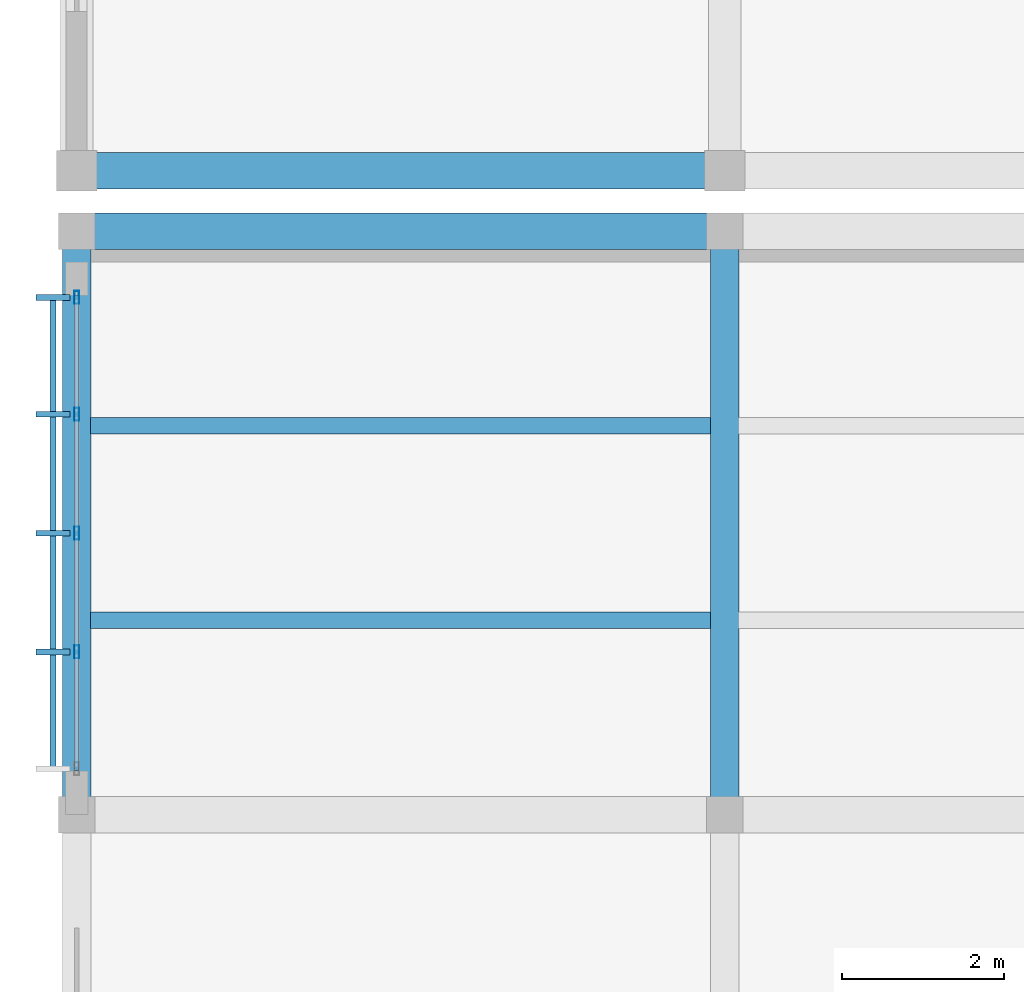
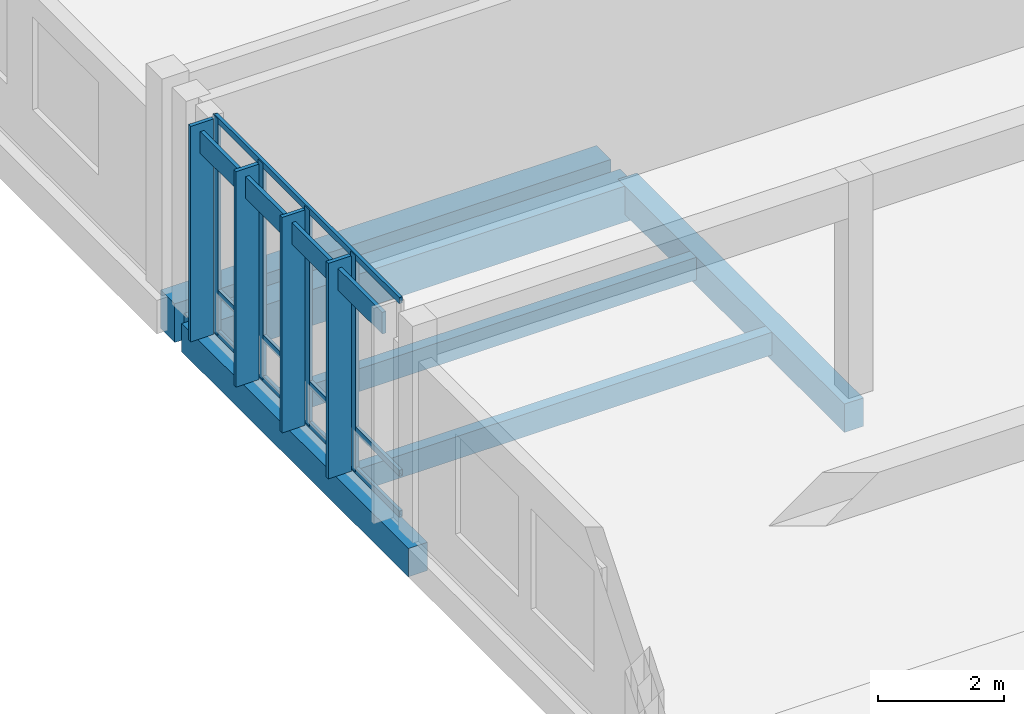
# One storey, part 27 of 107: 12 members, 6 beams, 1 element without a shape of its own.
"""IFC4 building model written with IfcOpenShell, lengths in metres."""

from ifc_helpers import new_model, si_unit, direction, frame, origin, origin_2d, place, context, subcontext, project, spatial, rectangle, hollow_rectangle, extrude, material, material_profile, profile_set, type_object, element, aggregate, save


model = new_model("IFC4")

# Units and contexts
model_context = context("Model", 3, precision=1e-05, world=origin(), true_north=direction((0.0, 1.0)))
body_context = subcontext(model_context, "Body", "Model", "MODEL_VIEW")
ifc_project = project(units=[si_unit("LENGTHUNIT", "METRE"), si_unit("AREAUNIT", "SQUARE_METRE"), si_unit("VOLUMEUNIT", "CUBIC_METRE"), si_unit("PLANEANGLEUNIT", "RADIAN"), si_unit("MASSUNIT", "GRAM", prefix="KILO")], contexts=[model_context])

# Site, building, storey
site_placement = place(None, origin())
site = spatial("IfcSite", under=ifc_project, at=site_placement, CompositionType="ELEMENT")
building_placement = place(site_placement, origin())
building = spatial("IfcBuilding", under=site, at=building_placement, Name="Chiffa Square Polytechnic", CompositionType="ELEMENT")
storey_placement = place(building_placement, frame((0.0, 0.0, 13.800048828125)))
storey = spatial("IfcBuildingStorey", under=building, at=storey_placement, Name="L03", CompositionType="ELEMENT", Elevation=13.800048828125)

# Beams
ifc_material_1 = material(Name="Concrete C35/45", Category="concrete")
ifc_material_profile_1 = material_profile(ifc_material_1, rectangle(XDim=0.35009765625, YDim=0.550048828125, at=origin_2d()), Name="RC 350x550")
ifc_profile_set_1 = profile_set([ifc_material_profile_1], Name="Concrete C35/45")
beam_type_1 = type_object("IfcBeamType", Name="BM-RC-350X550", PredefinedType="BEAM", material=ifc_profile_set_1)
for number, where, z_axis, x_axis, name in (
    (1, (0.0, 87.0, -0.53515625), (0.0, 1.0, 0.0), (-1.0, 0.0, 0.0), "Primary floor girder BM-V6-L03-Y-0000-0870"),
    (2, (8.0, 87.0, -0.53515625), (0.0, 1.0, 0.0), (-1.0, 0.0, 0.0), "Primary floor girder BM-V6-L03-Y-0080-0870"),
):
    element("IfcBeam", number, at=place(storey_placement, frame(where, z_axis=z_axis, x_axis=x_axis)), inside=storey, type_object=beam_type_1, Name=name, PredefinedType="BEAM", context=body_context, shape_type="SweptSolid", body=[
        extrude(rectangle(XDim=0.35009765625, YDim=0.550048828125, at=origin_2d()), origin(), (0.0, 0.0, 1.0), 7.199951171875),
    ])
ifc_material_profile_2 = material_profile(ifc_material_1, rectangle(XDim=0.449951171875, YDim=0.699951171875, at=origin_2d()), Name="RC 450x700")
ifc_profile_set_2 = profile_set([ifc_material_profile_2], Name="Concrete C35/45")
beam_type_2 = type_object("IfcBeamType", Name="BM-RC-450X700", PredefinedType="BEAM", material=ifc_profile_set_2)
beam_1_placement = place(storey_placement, frame((0.0, 94.199951171875, -0.610107421875), z_axis=(1.0, 0.0, 0.0), x_axis=(0.0, 1.0, 0.0)))
element("IfcBeam", 3, at=beam_1_placement, inside=storey, type_object=beam_type_2, Name="Primary floor girder BM-V6-L03-X-0000-0942", PredefinedType="BEAM", context=body_context, shape_type="SweptSolid", body=[
    extrude(rectangle(XDim=0.449951171875, YDim=0.699951171875, at=origin_2d()), origin(), (0.0, 0.0, 1.0), 8.0),
])
ifc_material_profile_3 = material_profile(ifc_material_1, rectangle(XDim=0.449951171875, YDim=0.75, at=origin_2d()), Name="RC 450x750")
ifc_profile_set_3 = profile_set([ifc_material_profile_3], Name="Concrete C35/45")
beam_type_3 = type_object("IfcBeamType", Name="BM-RC-450X750", PredefinedType="BEAM", material=ifc_profile_set_3)
beam_2_placement = place(storey_placement, frame((0.0, 94.949951171875, -0.635009765625), z_axis=(1.0, 0.0, 0.0), x_axis=(0.0, 1.0, 0.0)))
element("IfcBeam", 4, at=beam_2_placement, inside=storey, type_object=beam_type_3, Name="Primary floor girder BM-V5-L03-X-0000-0950", PredefinedType="BEAM", context=body_context, shape_type="SweptSolid", body=[
    extrude(rectangle(XDim=0.449951171875, YDim=0.75, at=origin_2d()), origin(), (0.0, 0.0, 1.0), 8.0),
])

# Curtain wall, members
ifc_material_2 = material(Name="Aluminium EN AW-6060 T66 and glulam shading", Category="wood")
curtain_wall_type = type_object("IfcCurtainWallType", Name="CW-VERT-600X440", PredefinedType="USERDEFINED", material=ifc_material_2)
curtain_wall_placement = place(storey_placement, origin())
curtain_wall = element("IfcCurtainWall", 5, at=curtain_wall_placement, inside=storey, type_object=curtain_wall_type, Name="Curtain wall CW-V6-L03-273", ObjectType="CURTAIN WALL", PredefinedType="USERDEFINED")
ifc_material_3 = material(Name="Aluminium EN AW-6060 T66", Category="aluminium")
ifc_material_profile_4 = material_profile(ifc_material_3, hollow_rectangle(XDim=0.06005859375, YDim=0.159912109375, WallThickness=0.00390625, at=origin_2d()), Name="ALU 60x160x4")
ifc_profile_set_4 = profile_set([ifc_material_profile_4], Name="Aluminium EN AW-6060 T66")
member_type_1 = type_object("IfcMemberType", Name="CWM-ALU-65X150", PredefinedType="MULLION", material=ifc_profile_set_4)
member_1_placement = place(storey_placement, frame((0.0, 93.385009765625, 0.0), z_axis=(0.0, 0.0, 1.0), x_axis=(1.0, 0.0, 0.0)))
member_1 = element("IfcMember", 6, at=member_1_placement, type_object=member_type_1, Name="Curtain wall mullion CW-V6-L03-273-M00", PredefinedType="MULLION", context=body_context, shape_type="SweptSolid", body=[
    extrude(hollow_rectangle(XDim=0.06005859375, YDim=0.159912109375, WallThickness=0.00390625, at=origin_2d()), origin(), (0.0, 0.0, 1.0), 4.199951171875),
])
member_2_placement = place(storey_placement, frame((0.0, 91.94189453125, 0.0), z_axis=(0.0, 0.0, 1.0), x_axis=(1.0, 0.0, 0.0)))
member_2 = element("IfcMember", 7, at=member_2_placement, type_object=member_type_1, Name="Curtain wall mullion CW-V6-L03-273-M01", PredefinedType="MULLION", context=body_context, shape_type="SweptSolid", body=[
    extrude(hollow_rectangle(XDim=0.06005859375, YDim=0.159912109375, WallThickness=0.00390625, at=origin_2d()), origin(), (0.0, 0.0, 1.0), 4.199951171875),
])
member_3_placement = place(storey_placement, frame((0.0, 90.47509765625, 0.0), z_axis=(0.0, 0.0, 1.0), x_axis=(1.0, 0.0, 0.0)))
member_3 = element("IfcMember", 8, at=member_3_placement, type_object=member_type_1, Name="Curtain wall mullion CW-V6-L03-273-M02", PredefinedType="MULLION", context=body_context, shape_type="SweptSolid", body=[
    extrude(hollow_rectangle(XDim=0.06005859375, YDim=0.159912109375, WallThickness=0.00390625, at=origin_2d()), origin(), (0.0, 0.0, 1.0), 4.199951171875),
])
member_4_placement = place(storey_placement, frame((0.0, 89.008056640625, 0.0), z_axis=(0.0, 0.0, 1.0), x_axis=(1.0, 0.0, 0.0)))
member_4 = element("IfcMember", 9, at=member_4_placement, type_object=member_type_1, Name="Curtain wall mullion CW-V6-L03-273-M03", PredefinedType="MULLION", context=body_context, shape_type="SweptSolid", body=[
    extrude(hollow_rectangle(XDim=0.06005859375, YDim=0.159912109375, WallThickness=0.00390625, at=origin_2d()), origin(), (0.0, 0.0, 1.0), 4.199951171875),
])
ifc_material_4 = material(Name="Glulam GL28h", Category="wood")
ifc_material_profile_5 = material_profile(ifc_material_4, rectangle(XDim=0.070068359375, YDim=0.419921875, at=origin_2d()), Name="GL28h 70x420")
ifc_profile_set_5 = profile_set([ifc_material_profile_5], Name="Glulam GL28h")
member_type_2 = type_object("IfcMemberType", Name="CWM-GL-70X420", PredefinedType="MULLION", material=ifc_profile_set_5)
member_5_placement = place(storey_placement, frame((-0.2919921875, 93.385009765625, 0.010009765625), z_axis=(0.0, 0.0, 1.0), x_axis=(0.0, -1.0, 0.0)))
member_5 = element("IfcMember", 10, at=member_5_placement, type_object=member_type_2, Name="Exterior glulam solar fin CW-V6-L03-273-FN00", PredefinedType="MULLION", context=body_context, shape_type="SweptSolid", body=[
    extrude(rectangle(XDim=0.070068359375, YDim=0.419921875, at=origin_2d()), origin(), (0.0, 0.0, 1.0), 4.179931640625),
])
member_6_placement = place(storey_placement, frame((-0.2919921875, 91.94189453125, 0.010009765625), z_axis=(0.0, 0.0, 1.0), x_axis=(0.0, -1.0, 0.0)))
member_6 = element("IfcMember", 11, at=member_6_placement, type_object=member_type_2, Name="Exterior glulam solar fin CW-V6-L03-273-FN01", PredefinedType="MULLION", context=body_context, shape_type="SweptSolid", body=[
    extrude(rectangle(XDim=0.070068359375, YDim=0.419921875, at=origin_2d()), origin(), (0.0, 0.0, 1.0), 4.179931640625),
])
member_7_placement = place(storey_placement, frame((-0.2919921875, 90.47509765625, 0.010009765625), z_axis=(0.0, 0.0, 1.0), x_axis=(0.0, -1.0, 0.0)))
member_7 = element("IfcMember", 12, at=member_7_placement, type_object=member_type_2, Name="Exterior glulam solar fin CW-V6-L03-273-FN02", PredefinedType="MULLION", context=body_context, shape_type="SweptSolid", body=[
    extrude(rectangle(XDim=0.070068359375, YDim=0.419921875, at=origin_2d()), origin(), (0.0, 0.0, 1.0), 4.179931640625),
])
member_8_placement = place(storey_placement, frame((-0.2919921875, 89.008056640625, 0.010009765625), z_axis=(0.0, 0.0, 1.0), x_axis=(0.0, -1.0, 0.0)))
member_8 = element("IfcMember", 13, at=member_8_placement, type_object=member_type_2, Name="Exterior glulam solar fin CW-V6-L03-273-FN03", PredefinedType="MULLION", context=body_context, shape_type="SweptSolid", body=[
    extrude(rectangle(XDim=0.070068359375, YDim=0.419921875, at=origin_2d()), origin(), (0.0, 0.0, 1.0), 4.179931640625),
])
ifc_material_profile_6 = material_profile(ifc_material_3, hollow_rectangle(XDim=0.06005859375, YDim=0.1201171875, WallThickness=0.00390625, at=origin_2d()), Name="ALU 60x120x4")
ifc_profile_set_6 = profile_set([ifc_material_profile_6], Name="Aluminium EN AW-6060 T66")
member_type_3 = type_object("IfcMemberType", Name="CWT-ALU-65X120", PredefinedType="USERDEFINED", material=ifc_profile_set_6)
member_9_placement = place(storey_placement, frame((0.0, 93.412109375, 0.030029296875), z_axis=(0.0, -1.0, 0.0), x_axis=(1.0, 0.0, 0.0)))
member_9 = element("IfcMember", 14, at=member_9_placement, type_object=member_type_3, Name="Curtain wall transom CW-V6-L03-273-T01", ObjectType="TRANSOM", PredefinedType="USERDEFINED", context=body_context, shape_type="SweptSolid", body=[
    extrude(hollow_rectangle(XDim=0.06005859375, YDim=0.1201171875, WallThickness=0.00390625, at=origin_2d()), origin(), (0.0, 0.0, 1.0), 5.8740234375),
])
member_10_placement = place(storey_placement, frame((0.0, 93.412109375, 0.820068359375), z_axis=(0.0, -1.0, 0.0), x_axis=(1.0, 0.0, 0.0)))
member_10 = element("IfcMember", 15, at=member_10_placement, type_object=member_type_3, Name="Curtain wall transom CW-V6-L03-273-T02", ObjectType="TRANSOM", PredefinedType="USERDEFINED", context=body_context, shape_type="SweptSolid", body=[
    extrude(hollow_rectangle(XDim=0.06005859375, YDim=0.1201171875, WallThickness=0.00390625, at=origin_2d()), origin(), (0.0, 0.0, 1.0), 5.8740234375),
])
member_11_placement = place(storey_placement, frame((0.0, 93.412109375, 4.169921875), z_axis=(0.0, -1.0, 0.0), x_axis=(1.0, 0.0, 0.0)))
member_11 = element("IfcMember", 16, at=member_11_placement, type_object=member_type_3, Name="Curtain wall transom CW-V6-L03-273-T03", ObjectType="TRANSOM", PredefinedType="USERDEFINED", context=body_context, shape_type="SweptSolid", body=[
    extrude(hollow_rectangle(XDim=0.06005859375, YDim=0.1201171875, WallThickness=0.00390625, at=origin_2d()), origin(), (0.0, 0.0, 1.0), 5.8740234375),
])
ifc_material_profile_7 = material_profile(ifc_material_4, rectangle(XDim=0.070068359375, YDim=0.419921875, at=origin_2d()), Name="GL28h 70x420")
ifc_profile_set_7 = profile_set([ifc_material_profile_7], Name="Glulam GL28h")
member_type_4 = type_object("IfcMemberType", Name="CWT-GL-70X420", PredefinedType="USERDEFINED", material=ifc_profile_set_7)
member_12_placement = place(storey_placement, frame((-0.2919921875, 93.385009765625, 3.820068359375), z_axis=(0.0, -1.0, 0.0), x_axis=(1.0, 0.0, 0.0)))
member_12 = element("IfcMember", 17, at=member_12_placement, type_object=member_type_4, Name="Exterior glulam brise-soleil CW-V6-L03-273-BS01", ObjectType="TRANSOM", PredefinedType="USERDEFINED", context=body_context, shape_type="SweptSolid", body=[
    extrude(rectangle(XDim=0.070068359375, YDim=0.419921875, at=origin_2d()), origin(), (0.0, 0.0, 1.0), 5.820068359375),
])
aggregate(curtain_wall, [member_1, member_5, member_2, member_6, member_3, member_7, member_4, member_8, member_9, member_10, member_11, member_12])

# Beams
ifc_material_profile_8 = material_profile(ifc_material_4, rectangle(XDim=0.199951171875, YDim=0.43994140625, at=origin_2d()), Name="GL28h 200x440")
ifc_profile_set_8 = profile_set([ifc_material_profile_8], Name="Glulam GL28h")
beam_type_4 = type_object("IfcBeamType", Name="JST-GL-200X440", PredefinedType="JOIST", material=ifc_profile_set_8)
for number, where, z_axis, x_axis, name in (
    (18, (0.173095703125, 89.39990234375, -0.47998046875), (1.0, 0.0, 0.0), (0.0, 1.0, 0.0), "Secondary floor joist JST-V6-L03-0000-0894"),
    (19, (0.173095703125, 91.800048828125, -0.47998046875), (1.0, 0.0, 0.0), (0.0, 1.0, 0.0), "Secondary floor joist JST-V6-L03-0000-0918"),
):
    element("IfcBeam", number, at=place(storey_placement, frame(where, z_axis=z_axis, x_axis=x_axis)), inside=storey, type_object=beam_type_4, Name=name, PredefinedType="JOIST", context=body_context, shape_type="SweptSolid", body=[
        extrude(rectangle(XDim=0.199951171875, YDim=0.43994140625, at=origin_2d()), origin(), (0.0, 0.0, 1.0), 7.65380859375),
    ])

save(model, "model.ifc")
